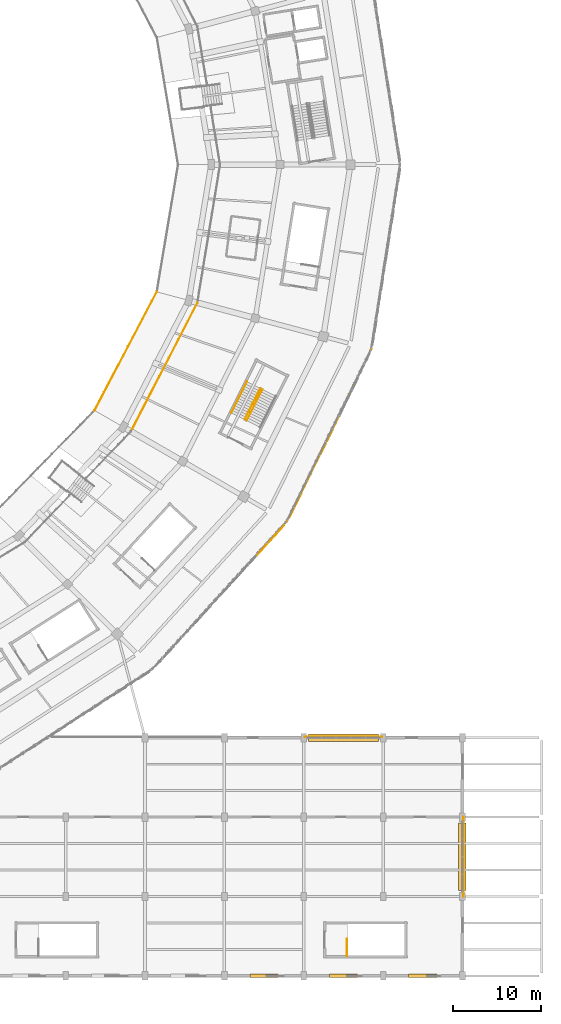
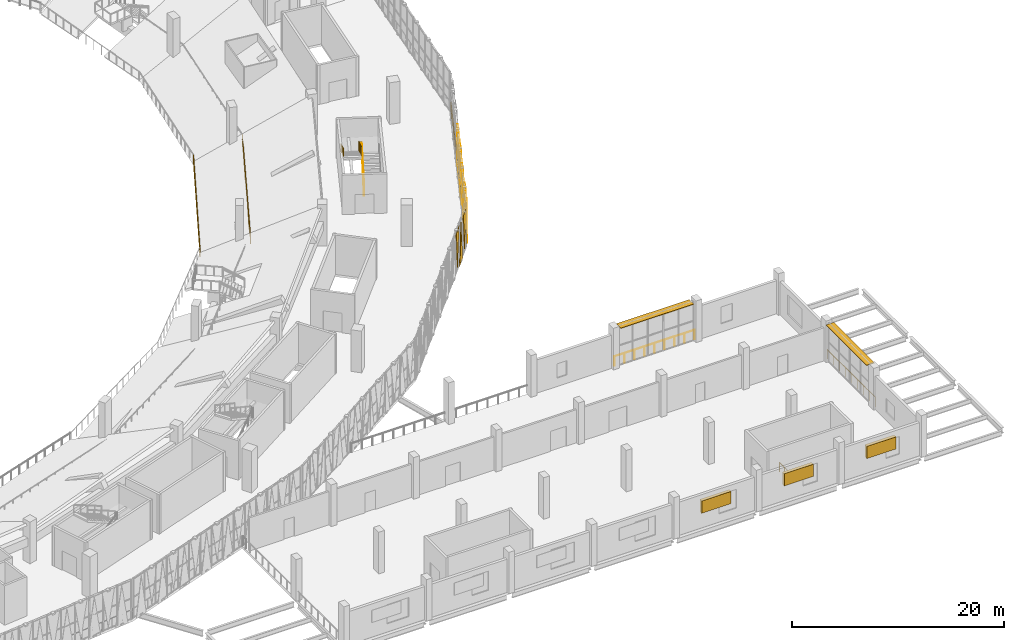
# One storey, part 132 of 152: 11 coverings, 9 railings, 5 shading devices.
"""IFC4 building model written with IfcOpenShell, lengths in metres."""

from ifc_helpers import new_model, si_unit, direction, frame, origin, origin_2d, place, context, subcontext, project, spatial, polyline, rectangle, circle, outline, extrude, material, layer, layer_set, type_object, element, save


model = new_model("IFC4")

# Units and contexts
model_context = context("Model", 3, precision=1e-05, world=origin(), true_north=direction((0.0, 1.0)))
body_context = subcontext(model_context, "Body", "Model", "MODEL_VIEW")
ifc_project = project(units=[si_unit("LENGTHUNIT", "METRE"), si_unit("AREAUNIT", "SQUARE_METRE"), si_unit("VOLUMEUNIT", "CUBIC_METRE"), si_unit("PLANEANGLEUNIT", "RADIAN"), si_unit("MASSUNIT", "GRAM", prefix="KILO")], contexts=[model_context])

# Site, building, storey
site_placement = place(None, origin())
site = spatial("IfcSite", under=ifc_project, at=site_placement, CompositionType="ELEMENT")
building_placement = place(site_placement, origin())
building = spatial("IfcBuilding", under=site, at=building_placement, Name="Zevraka Park Crest Stadium", CompositionType="ELEMENT")
storey_placement = place(building_placement, frame((0.0, 0.0, 15.0)))
storey = spatial("IfcBuildingStorey", under=building, at=storey_placement, Name="L03", CompositionType="ELEMENT", Elevation=15.0)

# Coverings
ifc_material_1 = material(Name="Architectural golden-bronze perforated aluminium", Category="aluminium")
ifc_layer_1 = layer(ifc_material_1, 0.034912109375)
ifc_layer_set_1 = layer_set([ifc_layer_1], Name="Architectural golden-bronze perforated aluminium")
covering_type = type_object("IfcCoveringType", Name="CLD01", PredefinedType="CLADDING", material=ifc_layer_set_1)
covering_1_placement = place(storey_placement, frame((192.68798828125, 48.805908203125, 4.52001953125), z_axis=(-0.740003442239, 0.672603081401, 1.9093939e-05), x_axis=(-0.672603081524, -0.740003442374, 0.0)))
element("IfcCovering", 1, at=covering_1_placement, inside=storey, type_object=covering_type, Name="Triangular Golden-Bronze Perforated Cladding L03-21-12", PredefinedType="CLADDING", context=body_context, shape_type="SweptSolid", body=[
    extrude(outline(polyline([(0.0, 0.0), (1.394564353058445, -1.6940658945086007e-21), (0.6971918440777609, -4.300048828908853), (0.0, 0.0)])), origin(), (0.0, 0.0, -1.0), 0.034912109375),
])
covering_2_placement = place(storey_placement, frame((192.7958984375, 48.925048828125, -0.260009765625), z_axis=(-0.739567862371, 0.673081988773, 0.00011548619), x_axis=(0.673081993261, 0.739567867303, 0.0)))
element("IfcCovering", 2, at=covering_2_placement, inside=storey, type_object=covering_type, Name="Triangular Golden-Bronze Perforated Cladding L03-21-13", PredefinedType="CLADDING", context=body_context, shape_type="SweptSolid", body=[
    extrude(outline(polyline([(0.0, 0.0), (1.3953856941325256, 0.0), (0.6980133844318637, -4.620117218309391), (0.0, 0.0)])), origin(), (0.0, 0.0, -1.0), 0.034912109375),
])
covering_3_placement = place(storey_placement, frame((194.781005859375, 51.10791015625, 4.52001953125), z_axis=(-0.740003442239, 0.672603081401, 1.9093939e-05), x_axis=(-0.672603081524, -0.740003442374, 0.0)))
element("IfcCovering", 3, at=covering_3_placement, inside=storey, type_object=covering_type, Name="Triangular Golden-Bronze Perforated Cladding L03-21-14", PredefinedType="CLADDING", context=body_context, shape_type="SweptSolid", body=[
    extrude(outline(polyline([(0.0, 0.0), (1.394564353058445, -1.6940658945086007e-21), (0.6971918440777609, -4.300048828908853), (0.0, 0.0)])), origin(), (0.0, 0.0, -1.0), 0.034912109375),
])
covering_4_placement = place(storey_placement, frame((195.3720703125, 51.97607421875, -0.260009765625), z_axis=(-0.897848668856, 0.440304175898, 2.2811457e-05), x_axis=(0.440304176012, 0.89784866909, 0.0)))
element("IfcCovering", 4, at=covering_4_placement, inside=storey, type_object=covering_type, Name="Triangular Golden-Bronze Perforated Cladding L03-22-1", PredefinedType="CLADDING", context=body_context, shape_type="SweptSolid", body=[
    extrude(outline(polyline([(0.0, 0.0), (1.4444249288858595, 1.6940658945086007e-21), (0.7217203137041149, -4.620117188702069), (0.0, 0.0)])), origin(), (0.0, 0.0, -1.0), 0.034912109375),
])
covering_5_placement = place(storey_placement, frame((196.716064453125, 54.712890625, 4.52001953125), z_axis=(-0.897581292576, 0.440848944339, 0.000177462733), x_axis=(-0.440848951281, -0.89758130671, 0.0)))
element("IfcCovering", 5, at=covering_5_placement, inside=storey, type_object=covering_type, Name="Triangular Golden-Bronze Perforated Cladding L03-22-2", PredefinedType="CLADDING", context=body_context, shape_type="SweptSolid", body=[
    extrude(outline(polyline([(0.0, 0.0), (1.4448551794759072, -1.3552527156068805e-20), (0.7222583904617778, -4.300048895835768), (0.0, 0.0)])), origin(), (0.0, 0.0, -1.0), 0.034912109375),
])
covering_6_placement = place(storey_placement, frame((196.785888671875, 54.85693359375, -0.260009765625), z_axis=(0.897547278624, -0.440918200115, 0.00015310664), x_axis=(0.440918205283, 0.897547289144, 0.0)))
element("IfcCovering", 6, at=covering_6_placement, inside=storey, type_object=covering_type, Name="Triangular Golden-Bronze Perforated Cladding L03-22-3", PredefinedType="CLADDING", context=body_context, shape_type="SweptSolid", body=[
    extrude(outline(polyline([(0.0, 0.0), (1.4451819489774211, -1.3552527156068805e-20), (0.7229235017866342, 4.62011724165157), (0.0, 0.0)])), origin(), (0.0, 0.0, -1.0), 0.034912109375),
])
covering_7_placement = place(storey_placement, frame((198.1298828125, 57.594970703125, 4.52001953125), z_axis=(0.897581292576, -0.440848944339, 0.000177462733), x_axis=(-0.440848951281, -0.89758130671, 0.0)))
element("IfcCovering", 7, at=covering_7_placement, inside=storey, type_object=covering_type, Name="Triangular Golden-Bronze Perforated Cladding L03-22-4", PredefinedType="CLADDING", context=body_context, shape_type="SweptSolid", body=[
    extrude(outline(polyline([(0.0, 0.0), (1.4448551794759072, -1.3552527156068805e-20), (0.7225967890141295, 4.300048895835768), (0.0, 0.0)])), origin(), (0.0, 0.0, -1.0), 0.034912109375),
])
covering_8_placement = place(storey_placement, frame((198.200927734375, 57.738037109375, -0.260009765625), z_axis=(0.897848668856, -0.440304175898, 2.2811457e-05), x_axis=(0.440304176012, 0.89784866909, 0.0)))
element("IfcCovering", 8, at=covering_8_placement, inside=storey, type_object=covering_type, Name="Triangular Golden-Bronze Perforated Cladding L03-22-5", PredefinedType="CLADDING", context=body_context, shape_type="SweptSolid", body=[
    extrude(outline(polyline([(0.0, 0.0), (1.4444249288858595, 1.6940658945086007e-21), (0.7227046151817446, 4.620117188702069), (0.0, 0.0)])), origin(), (0.0, 0.0, -1.0), 0.034912109375),
])
covering_9_placement = place(storey_placement, frame((199.544921875, 60.47607421875, 4.52001953125), z_axis=(-0.897614138564, 0.440782098158, 1.3879859e-05), x_axis=(-0.440782098201, -0.897614138651, 0.0)))
element("IfcCovering", 9, at=covering_9_placement, inside=storey, type_object=covering_type, Name="Triangular Golden-Bronze Perforated Cladding L03-22-6", PredefinedType="CLADDING", context=body_context, shape_type="SweptSolid", body=[
    extrude(outline(polyline([(0.0, 0.0), (1.4450743195452247, 0.0), (0.7232464391900753, -4.300048828539204), (0.0, 0.0)])), origin(), (0.0, 0.0, -1.0), 0.034912109375),
])
covering_10_placement = place(storey_placement, frame((199.614990234375, 60.6201171875, -0.260009765625), z_axis=(-0.897449823133, 0.441116538913, 0.000118559742), x_axis=(0.441116542014, 0.89744982944, 0.0)))
element("IfcCovering", 10, at=covering_10_placement, inside=storey, type_object=covering_type, Name="Triangular Golden-Bronze Perforated Cladding L03-22-7", PredefinedType="CLADDING", context=body_context, shape_type="SweptSolid", body=[
    extrude(outline(polyline([(0.0, 0.0), (1.4439786994094814, 0.0), (0.7222585858754034, -4.620117219971137), (0.0, 0.0)])), origin(), (0.0, 0.0, -1.0), 0.034912109375),
])
covering_11_placement = place(storey_placement, frame((200.958984375, 63.35693359375, 4.52001953125), z_axis=(0.897581304025, -0.440848949962, 7.7343744e-05), x_axis=(-0.440848951281, -0.89758130671, 0.0)))
element("IfcCovering", 11, at=covering_11_placement, inside=storey, type_object=covering_type, Name="Triangular Golden-Bronze Perforated Cladding L03-22-8", PredefinedType="CLADDING", context=body_context, shape_type="SweptSolid", body=[
    extrude(outline(polyline([(0.0, 0.0), (1.4448551794759075, 0.0), (0.721720244769296, 4.300048840986565), (0.0, 0.0)])), origin(), (0.0, 0.0, -1.0), 0.034912109375),
])

# Railings
ifc_material_2 = material(Name="Galvanised and bronze-finished steel balustrade", Category="steel")
railing_type_1 = type_object("IfcRailingType", Name="GR01", PredefinedType="GUARDRAIL", material=ifc_material_2)
railing_1_placement = place(storey_placement, frame((204.660888671875, 71.056884765625, 0.0)))
element("IfcRailing", 12, at=railing_1_placement, inside=storey, type_object=railing_type_1, Name="Deck Edge Protection Guardrail GR01 L03-22", PredefinedType="GUARDRAIL", context=body_context, shape_type="SweptSolid", body=[
    extrude(circle(Radius=0.02392578125, at=origin_2d()), frame((0.0, 0.0, 1.076171875), z_axis=(-0.440666280829, -0.897671002618, 0.0), x_axis=(0.897671002618, -0.440666280829, 0.0)), (0.0, 0.0, 1.0), 21.74169921875),
    extrude(circle(Radius=0.02099609375, at=origin_2d()), origin(), (0.0, 0.0, 1.0), 1.052001953125),
    extrude(circle(Radius=0.02099609375, at=origin_2d()), frame((-0.504150390625, -1.027099609375, 0.0)), (0.0, 0.0, 1.0), 1.052001953125),
    extrude(circle(Radius=0.02099609375, at=origin_2d()), frame((-1.008544921875, -2.054443359375, 0.0)), (0.0, 0.0, 1.0), 1.052001953125),
    extrude(circle(Radius=0.02099609375, at=origin_2d()), frame((-1.5126953125, -3.08154296875, 0.0)), (0.0, 0.0, 1.0), 1.052001953125),
    extrude(circle(Radius=0.02099609375, at=origin_2d()), frame((-2.01708984375, -4.10888671875, 0.0)), (0.0, 0.0, 1.0), 1.052001953125),
    extrude(circle(Radius=0.02099609375, at=origin_2d()), frame((-2.521240234375, -5.135986328125, 0.0)), (0.0, 0.0, 1.0), 1.052001953125),
    extrude(circle(Radius=0.02099609375, at=origin_2d()), frame((-3.025634765625, -6.163330078125, 0.0)), (0.0, 0.0, 1.0), 1.052001953125),
    extrude(circle(Radius=0.02099609375, at=origin_2d()), frame((-3.52978515625, -7.1904296875, 0.0)), (0.0, 0.0, 1.0), 1.052001953125),
    extrude(circle(Radius=0.02099609375, at=origin_2d()), frame((-4.033935546875, -8.217529296875, 0.0)), (0.0, 0.0, 1.0), 1.052001953125),
    extrude(circle(Radius=0.02099609375, at=origin_2d()), frame((-4.538330078125, -9.244873046875, 0.0)), (0.0, 0.0, 1.0), 1.052001953125),
    extrude(circle(Radius=0.02099609375, at=origin_2d()), frame((-5.04248046875, -10.27197265625, 0.0)), (0.0, 0.0, 1.0), 1.052001953125),
    extrude(circle(Radius=0.02099609375, at=origin_2d()), frame((-5.546875, -11.29931640625, 0.0)), (0.0, 0.0, 1.0), 1.052001953125),
    extrude(circle(Radius=0.02099609375, at=origin_2d()), frame((-6.051025390625, -12.326416015625, 0.0)), (0.0, 0.0, 1.0), 1.052001953125),
    extrude(circle(Radius=0.02099609375, at=origin_2d()), frame((-6.55517578125, -13.353515625, 0.0)), (0.0, 0.0, 1.0), 1.052001953125),
    extrude(circle(Radius=0.02099609375, at=origin_2d()), frame((-7.0595703125, -14.380859375, 0.0)), (0.0, 0.0, 1.0), 1.052001953125),
    extrude(circle(Radius=0.02099609375, at=origin_2d()), frame((-7.563720703125, -15.407958984375, 0.0)), (0.0, 0.0, 1.0), 1.052001953125),
    extrude(circle(Radius=0.02099609375, at=origin_2d()), frame((-8.068115234375, -16.435302734375, 0.0)), (0.0, 0.0, 1.0), 1.052001953125),
    extrude(circle(Radius=0.02099609375, at=origin_2d()), frame((-8.572265625, -17.46240234375, 0.0)), (0.0, 0.0, 1.0), 1.052001953125),
    extrude(circle(Radius=0.02099609375, at=origin_2d()), frame((-9.07666015625, -18.48974609375, 0.0)), (0.0, 0.0, 1.0), 1.052001953125),
    extrude(circle(Radius=0.02099609375, at=origin_2d()), frame((-9.580810546875, -19.516845703125, 0.0)), (0.0, 0.0, 1.0), 1.052001953125),
])
railing_2_placement = place(storey_placement, frame((197.115966796875, 27.10498046875, 0.0)))
element("IfcRailing", 13, at=railing_2_placement, inside=storey, type_object=railing_type_1, Name="Deck Edge Protection Guardrail GR01 L03-26", PredefinedType="GUARDRAIL", context=body_context, shape_type="SweptSolid", body=[
    extrude(circle(Radius=0.02392578125, at=origin_2d()), frame((0.0, 0.0, 1.076171875), z_axis=(1.0, 0.0, 0.0), x_axis=(0.0, 1.0, 0.0)), (0.0, 0.0, 1.0), 8.76806640625),
    extrude(circle(Radius=0.02099609375, at=origin_2d()), origin(), (0.0, 0.0, 1.0), 1.052001953125),
    extrude(circle(Radius=0.02099609375, at=origin_2d()), frame((1.095947265625, 0.0, 0.0)), (0.0, 0.0, 1.0), 1.052001953125),
    extrude(circle(Radius=0.02099609375, at=origin_2d()), frame((2.19189453125, 0.0, 0.0)), (0.0, 0.0, 1.0), 1.052001953125),
    extrude(circle(Radius=0.02099609375, at=origin_2d()), frame((3.2880859375, 0.0, 0.0)), (0.0, 0.0, 1.0), 1.052001953125),
    extrude(circle(Radius=0.02099609375, at=origin_2d()), frame((4.384033203125, 0.0, 0.0)), (0.0, 0.0, 1.0), 1.052001953125),
    extrude(circle(Radius=0.02099609375, at=origin_2d()), frame((5.47998046875, 0.0, 0.0)), (0.0, 0.0, 1.0), 1.052001953125),
    extrude(circle(Radius=0.02099609375, at=origin_2d()), frame((6.576171875, 0.0, 0.0)), (0.0, 0.0, 1.0), 1.052001953125),
    extrude(circle(Radius=0.02099609375, at=origin_2d()), frame((7.672119140625, 0.0, 0.0)), (0.0, 0.0, 1.0), 1.052001953125),
    extrude(circle(Radius=0.02099609375, at=origin_2d()), frame((8.76806640625, 0.0, 0.0)), (0.0, 0.0, 1.0), 1.052001953125),
])
railing_3_placement = place(storey_placement, frame((215.10498046875, 18.033935546875, 0.0)))
element("IfcRailing", 14, at=railing_3_placement, inside=storey, type_object=railing_type_1, Name="Deck Edge Protection Guardrail GR01 L03-27", PredefinedType="GUARDRAIL", context=body_context, shape_type="SweptSolid", body=[
    extrude(circle(Radius=0.02392578125, at=origin_2d()), frame((0.0, 0.0, 1.076171875), z_axis=(0.0, -1.0, 0.0), x_axis=(1.0, 0.0, 0.0)), (0.0, 0.0, 1.0), 9.06787109375),
    extrude(circle(Radius=0.02099609375, at=origin_2d()), origin(), (0.0, 0.0, 1.0), 1.052001953125),
    extrude(circle(Radius=0.02099609375, at=origin_2d()), frame((0.0, -1.133544921875, 0.0)), (0.0, 0.0, 1.0), 1.052001953125),
    extrude(circle(Radius=0.02099609375, at=origin_2d()), frame((0.0, -2.26708984375, 0.0)), (0.0, 0.0, 1.0), 1.052001953125),
    extrude(circle(Radius=0.02099609375, at=origin_2d()), frame((0.0, -3.400390625, 0.0)), (0.0, 0.0, 1.0), 1.052001953125),
    extrude(circle(Radius=0.02099609375, at=origin_2d()), frame((0.0, -4.533935546875, 0.0)), (0.0, 0.0, 1.0), 1.052001953125),
    extrude(circle(Radius=0.02099609375, at=origin_2d()), frame((0.0, -5.66748046875, 0.0)), (0.0, 0.0, 1.0), 1.052001953125),
    extrude(circle(Radius=0.02099609375, at=origin_2d()), frame((0.0, -6.80078125, 0.0)), (0.0, 0.0, 1.0), 1.052001953125),
    extrude(circle(Radius=0.02099609375, at=origin_2d()), frame((0.0, -7.934326171875, 0.0)), (0.0, 0.0, 1.0), 1.052001953125),
    extrude(circle(Radius=0.02099609375, at=origin_2d()), frame((0.0, -9.06787109375, 0.0)), (0.0, 0.0, 1.0), 1.052001953125),
])
railing_4_placement = place(storey_placement, frame((177.404052734375, 61.742919921875, 0.0)))
element("IfcRailing", 15, at=railing_4_placement, inside=storey, type_object=railing_type_1, Name="Deck Edge Protection Guardrail GR01 L03-61", PredefinedType="GUARDRAIL", context=body_context, shape_type="SweptSolid", body=[
    extrude(circle(Radius=0.02392578125, at=origin_2d()), frame((0.0, 0.0, 1.076171875), z_axis=(0.459204881933, 0.888330386967, 0.0), x_axis=(-0.888330386967, 0.459204881933, 0.0)), (0.0, 0.0, 1.0), 16.419677734375),
    extrude(circle(Radius=0.02099609375, at=origin_2d()), origin(), (0.0, 0.0, 1.0), 1.052001953125),
    extrude(circle(Radius=0.02099609375, at=origin_2d()), frame((0.53857421875, 1.0419921875, 0.0)), (0.0, 0.0, 1.0), 1.052001953125),
    extrude(circle(Radius=0.02099609375, at=origin_2d()), frame((1.0771484375, 2.083740234375, 0.0)), (0.0, 0.0, 1.0), 1.052001953125),
    extrude(circle(Radius=0.02099609375, at=origin_2d()), frame((1.61572265625, 3.12548828125, 0.0)), (0.0, 0.0, 1.0), 1.052001953125),
    extrude(circle(Radius=0.02099609375, at=origin_2d()), frame((2.154296875, 4.16748046875, 0.0)), (0.0, 0.0, 1.0), 1.052001953125),
    extrude(circle(Radius=0.02099609375, at=origin_2d()), frame((2.69287109375, 5.20947265625, 0.0)), (0.0, 0.0, 1.0), 1.052001953125),
    extrude(circle(Radius=0.02099609375, at=origin_2d()), frame((3.2314453125, 6.251220703125, 0.0)), (0.0, 0.0, 1.0), 1.052001953125),
    extrude(circle(Radius=0.02099609375, at=origin_2d()), frame((3.77001953125, 7.29296875, 0.0)), (0.0, 0.0, 1.0), 1.052001953125),
    extrude(circle(Radius=0.02099609375, at=origin_2d()), frame((4.30859375, 8.3349609375, 0.0)), (0.0, 0.0, 1.0), 1.052001953125),
    extrude(circle(Radius=0.02099609375, at=origin_2d()), frame((4.84716796875, 9.376953125, 0.0)), (0.0, 0.0, 1.0), 1.052001953125),
    extrude(circle(Radius=0.02099609375, at=origin_2d()), frame((5.3857421875, 10.418701171875, 0.0)), (0.0, 0.0, 1.0), 1.052001953125),
    extrude(circle(Radius=0.02099609375, at=origin_2d()), frame((5.92431640625, 11.46044921875, 0.0)), (0.0, 0.0, 1.0), 1.052001953125),
    extrude(circle(Radius=0.02099609375, at=origin_2d()), frame((6.462890625, 12.50244140625, 0.0)), (0.0, 0.0, 1.0), 1.052001953125),
    extrude(circle(Radius=0.02099609375, at=origin_2d()), frame((7.00146484375, 13.54443359375, 0.0)), (0.0, 0.0, 1.0), 1.052001953125),
    extrude(circle(Radius=0.02099609375, at=origin_2d()), frame((7.5400390625, 14.586181640625, 0.0)), (0.0, 0.0, 1.0), 1.052001953125),
])
ifc_material_3 = material(Name="Laminated glass and stainless steel sightline bowl guard", Category="steel")
railing_type_2 = type_object("IfcRailingType", Name="GR02", PredefinedType="GUARDRAIL", material=ifc_material_3)
railing_5_placement = place(storey_placement, frame((173.27099609375, 64.125, -1.5)))
element("IfcRailing", 16, at=railing_5_placement, inside=storey, type_object=railing_type_2, Name="Upper Tier Cantilever Sightline Guard GR02 22", PredefinedType="GUARDRAIL", context=body_context, shape_type="SweptSolid", body=[
    extrude(circle(Radius=0.02392578125, at=origin_2d()), frame((0.0, 0.0, 1.09619140625), z_axis=(0.46529528059, 0.885155524109, 0.0), x_axis=(-0.885155524109, 0.46529528059, 0.0)), (0.0, 0.0, 1.0), 15.190673828125),
    extrude(circle(Radius=0.02099609375, at=origin_2d()), origin(), (0.0, 0.0, 1.0), 1.072021484375),
    extrude(circle(Radius=0.02099609375, at=origin_2d()), frame((0.543701171875, 1.034423828125, 0.0)), (0.0, 0.0, 1.0), 1.072021484375),
    extrude(circle(Radius=0.02099609375, at=origin_2d()), frame((1.08740234375, 2.068603515625, 0.0)), (0.0, 0.0, 1.0), 1.072021484375),
    extrude(circle(Radius=0.02099609375, at=origin_2d()), frame((1.631103515625, 3.10302734375, 0.0)), (0.0, 0.0, 1.0), 1.072021484375),
    extrude(circle(Radius=0.02099609375, at=origin_2d()), frame((2.1748046875, 4.13720703125, 0.0)), (0.0, 0.0, 1.0), 1.072021484375),
    extrude(circle(Radius=0.02099609375, at=origin_2d()), frame((2.718505859375, 5.171630859375, 0.0)), (0.0, 0.0, 1.0), 1.072021484375),
    extrude(circle(Radius=0.02099609375, at=origin_2d()), frame((3.26220703125, 6.205810546875, 0.0)), (0.0, 0.0, 1.0), 1.072021484375),
    extrude(circle(Radius=0.02099609375, at=origin_2d()), frame((3.805908203125, 7.240234375, 0.0)), (0.0, 0.0, 1.0), 1.072021484375),
    extrude(circle(Radius=0.02099609375, at=origin_2d()), frame((4.349609375, 8.2744140625, 0.0)), (0.0, 0.0, 1.0), 1.072021484375),
    extrude(circle(Radius=0.02099609375, at=origin_2d()), frame((4.893310546875, 9.308837890625, 0.0)), (0.0, 0.0, 1.0), 1.072021484375),
    extrude(circle(Radius=0.02099609375, at=origin_2d()), frame((5.43701171875, 10.343017578125, 0.0)), (0.0, 0.0, 1.0), 1.072021484375),
    extrude(circle(Radius=0.02099609375, at=origin_2d()), frame((5.980712890625, 11.37744140625, 0.0)), (0.0, 0.0, 1.0), 1.072021484375),
    extrude(circle(Radius=0.02099609375, at=origin_2d()), frame((6.5244140625, 12.41162109375, 0.0)), (0.0, 0.0, 1.0), 1.072021484375),
    extrude(circle(Radius=0.02099609375, at=origin_2d()), frame((7.068115234375, 13.446044921875, 0.0)), (0.0, 0.0, 1.0), 1.072021484375),
])
ifc_material_4 = material(Name="Powder-coated tubular steel stairwell guard", Category="steel")
railing_type_3 = type_object("IfcRailingType", Name="GR03", PredefinedType="GUARDRAIL", material=ifc_material_4)
railing_6_placement = place(storey_placement, frame((190.5322265625, 62.965087890625, 0.17138671875)))
element("IfcRailing", 17, at=railing_6_placement, inside=storey, type_object=railing_type_3, Name="L03 ST23 stair guard 1", PredefinedType="GUARDRAIL", context=body_context, shape_type="SweptSolid", body=[
    extrude(circle(Radius=0.02392578125, at=origin_2d()), frame((0.0, 0.0, 1.076171875), z_axis=(0.39045397791, 0.779404971028, 0.489973042393), x_axis=(-0.894082100069, 0.447903112666, 0.0)), (0.0, 0.0, 1.0), 4.54833984375),
    extrude(circle(Radius=0.02099609375, at=origin_2d()), origin(), (0.0, 0.0, 1.0), 1.052001953125),
    extrude(circle(Radius=0.02099609375, at=origin_2d()), frame((0.44384765625, 0.88623046875, 0.55712890625)), (0.0, 0.0, 1.0), 1.052001953125),
    extrude(circle(Radius=0.02099609375, at=origin_2d()), frame((0.887939453125, 1.7724609375, 1.1142578125)), (0.0, 0.0, 1.0), 1.052001953125),
    extrude(circle(Radius=0.02099609375, at=origin_2d()), frame((1.33203125, 2.65869140625, 1.67138671875)), (0.0, 0.0, 1.0), 1.052001953125),
    extrude(circle(Radius=0.02099609375, at=origin_2d()), frame((1.77587890625, 3.544921875, 2.228515625)), (0.0, 0.0, 1.0), 1.052001953125),
])
railing_7_placement = place(storey_placement, frame((192.07568359375, 66.62646484375, 2.571533203125)))
element("IfcRailing", 18, at=railing_7_placement, inside=storey, type_object=railing_type_3, Name="L03 ST23 stair guard 3", PredefinedType="GUARDRAIL", context=body_context, shape_type="SweptSolid", body=[
    extrude(circle(Radius=0.02392578125, at=origin_2d()), frame((0.0, 0.0, 1.076171875), z_axis=(-0.39045397791, -0.779404971028, 0.489973042393), x_axis=(0.894082100069, -0.447903112666, 0.0)), (0.0, 0.0, 1.0), 4.54833984375),
    extrude(circle(Radius=0.02099609375, at=origin_2d()), origin(), (0.0, 0.0, 1.0), 1.052001953125),
    extrude(circle(Radius=0.02099609375, at=origin_2d()), frame((-0.44384765625, -0.88623046875, 0.55712890625)), (0.0, 0.0, 1.0), 1.052001953125),
    extrude(circle(Radius=0.02099609375, at=origin_2d()), frame((-0.887939453125, -1.7724609375, 1.1142578125)), (0.0, 0.0, 1.0), 1.052001953125),
    extrude(circle(Radius=0.02099609375, at=origin_2d()), frame((-1.33203125, -2.65869140625, 1.67138671875)), (0.0, 0.0, 1.0), 1.052001953125),
    extrude(circle(Radius=0.02099609375, at=origin_2d()), frame((-1.77587890625, -3.544921875, 2.228515625)), (0.0, 0.0, 1.0), 1.052001953125),
])
railing_8_placement = place(storey_placement, frame((201.89990234375, 2.25, 0.0)))
element("IfcRailing", 19, at=railing_8_placement, inside=storey, type_object=railing_type_3, Name="L03 ST54 top well guard 1", PredefinedType="GUARDRAIL", context=body_context, shape_type="SweptSolid", body=[
    extrude(circle(Radius=0.02392578125, at=origin_2d()), frame((0.0, 0.0, 1.076171875), z_axis=(0.0, 1.0, 0.0), x_axis=(-1.0, 0.0, 0.0)), (0.0, 0.0, 1.0), 1.909912109375),
    extrude(circle(Radius=0.02099609375, at=origin_2d()), origin(), (0.0, 0.0, 1.0), 1.052001953125),
    extrude(circle(Radius=0.02099609375, at=origin_2d()), frame((0.0, 0.955078125, 0.0)), (0.0, 0.0, 1.0), 1.052001953125),
    extrude(circle(Radius=0.02099609375, at=origin_2d()), frame((0.0, 1.909912109375, 0.0)), (0.0, 0.0, 1.0), 1.052001953125),
])
ifc_material_5 = material(Name="Brushed stainless steel continuous handrail", Category="steel")
railing_type_4 = type_object("IfcRailingType", Name="HR01", PredefinedType="HANDRAIL", material=ifc_material_5)
railing_9_placement = place(storey_placement, frame((190.5556640625, 67.387939453125, 2.571533203125)))
element("IfcRailing", 20, at=railing_9_placement, inside=storey, type_object=railing_type_4, Name="L03 ST23 stair handrail 2", PredefinedType="HANDRAIL", context=body_context, shape_type="SweptSolid", body=[
    extrude(circle(Radius=0.02392578125, at=origin_2d()), frame((0.0, 0.0, 0.8759765625), z_axis=(-0.39045397791, -0.779404971028, 0.489973042393), x_axis=(0.894082100069, -0.447903112666, 0.0)), (0.0, 0.0, 1.0), 4.54833984375),
    extrude(circle(Radius=0.02099609375, at=origin_2d()), origin(), (0.0, 0.0, 1.0), 0.851806640625),
    extrude(circle(Radius=0.02099609375, at=origin_2d()), frame((-0.44384765625, -0.88623046875, 0.55712890625)), (0.0, 0.0, 1.0), 0.851806640625),
    extrude(circle(Radius=0.02099609375, at=origin_2d()), frame((-0.887939453125, -1.7724609375, 1.1142578125)), (0.0, 0.0, 1.0), 0.851806640625),
    extrude(circle(Radius=0.02099609375, at=origin_2d()), frame((-1.33203125, -2.65869140625, 1.67138671875)), (0.0, 0.0, 1.0), 0.851806640625),
    extrude(circle(Radius=0.02099609375, at=origin_2d()), frame((-1.77587890625, -3.544921875, 2.228515625)), (0.0, 0.0, 1.0), 0.851806640625),
])

# Shading devices
ifc_material_6 = material(Name="Terracotta and bronze acoustic ventilation louvre", Category="masonry")
ifc_layer_2 = layer(ifc_material_6, 0.080078125)
ifc_layer_set_2 = layer_set([ifc_layer_2], Name="Terracotta and bronze acoustic ventilation louvre")
shading_device_type_1 = type_object("IfcShadingDeviceType", Name="LVR01", PredefinedType="USERDEFINED", material=ifc_layer_set_2)
for number, where, z_axis, x_axis, name in (
    (21, (210.5, 0.0, 1.699951171875), (0.0, 0.0, 1.0), (-1.0, 0.0, 0.0), "Plant Ventilation Louvre LVR01 L03-1"),
    (22, (201.5, 0.0, 1.699951171875), (0.0, 0.0, 1.0), (-1.0, 0.0, 0.0), "Plant Ventilation Louvre LVR01 L03-2"),
    (23, (192.5, 0.0, 1.699951171875), (0.0, 0.0, 1.0), (-1.0, 0.0, 0.0), "Plant Ventilation Louvre LVR01 L03-3"),
):
    element("IfcShadingDevice", number, at=place(storey_placement, frame(where, z_axis=z_axis, x_axis=x_axis)), inside=storey, type_object=shading_device_type_1, Name=name, ObjectType="LOUVRE", PredefinedType="USERDEFINED", context=body_context, shape_type="SweptSolid", body=[
        extrude(rectangle(XDim=3.199951171875, YDim=0.360107421875, at=origin_2d()), origin(), (0.0, 0.0, 1.0), 1.39990234375),
    ])
ifc_material_7 = material(Name="Architectural golden-bronze anodised bronze", Category="aluminium")
ifc_layer_3 = layer(ifc_material_7, 0.06005859375)
ifc_layer_set_3 = layer_set([ifc_layer_3], Name="Architectural golden-bronze anodised bronze")
shading_device_type_2 = type_object("IfcShadingDeviceType", Name="SHD01", PredefinedType="USERDEFINED", material=ifc_layer_set_3)
shading_device_1_placement = place(storey_placement, frame((215.0, 13.5, 4.4599609375), z_axis=(0.0, 0.0, 1.0), x_axis=(0.0, -1.0, 0.0)))
element("IfcShadingDevice", 24, at=shading_device_1_placement, inside=storey, type_object=shading_device_type_2, Name="Wing Bronze Solar Screen SHD01 L03-SE-E3-2", ObjectType="SOLAR SCREEN", PredefinedType="USERDEFINED", context=body_context, shape_type="SweptSolid", body=[
    extrude(rectangle(XDim=7.669921875, YDim=0.85009765625, at=origin_2d()), origin(), (0.0, 0.0, 1.0), 0.06005859375),
])
shading_device_2_placement = place(storey_placement, frame((201.5, 27.0, 4.4599609375), z_axis=(0.0, 0.0, 1.0), x_axis=(1.0, 0.0, 0.0)))
element("IfcShadingDevice", 25, at=shading_device_2_placement, inside=storey, type_object=shading_device_type_2, Name="Wing Bronze Solar Screen SHD01 L03-SE-N3-2", ObjectType="SOLAR SCREEN", PredefinedType="USERDEFINED", context=body_context, shape_type="SweptSolid", body=[
    extrude(rectangle(XDim=7.969970703125, YDim=0.85009765625, at=origin_2d()), origin(), (0.0, 0.0, 1.0), 0.06005859375),
])

save(model, "model.ifc")
